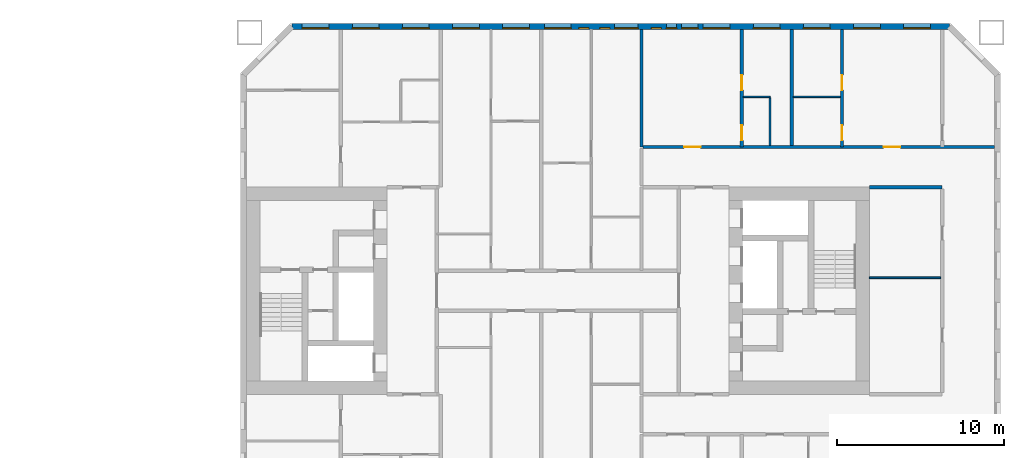
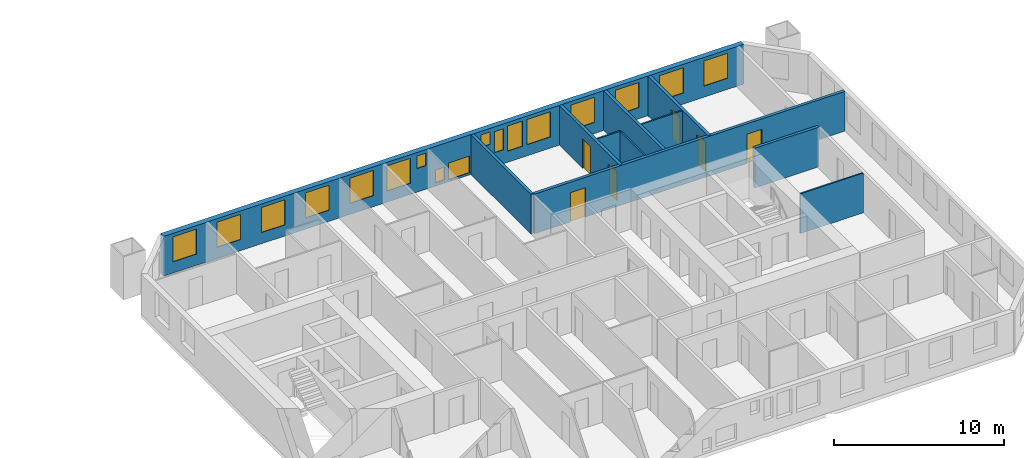
# One storey, part 13 of 16: 17 windows, 11 walls, 6 doors, 23 openings.
"""IFC4 building model written with IfcOpenShell, lengths in metres."""

import ifcopenshell
import ifcopenshell.guid

model = None  # the IFC model being written
_history = None  # IfcOwnerHistory: only IFC2X3 demands one
_inside = {}  # id of a spatial element -> (the spatial element, [elements in it])
_under = {}  # id of a project, library or spatial element -> (it, [spatial elements below it])
_declared = {}  # id of a project -> (the project, [libraries it declares])
_typed = {}  # id of a type object -> (the type object, [elements of that type])
_made_of = {}  # id of a material, layer set ... -> (it, [elements and type objects made of it])


def new_model(schema):
    """Start an empty IFC model of exactly this schema.

    Asked for "IFC4X3", IfcOpenShell would pick the latest addendum, in which some entities
    have other attributes; the version numbers below select the first issue.
    IFC2X3 requires an IfcOwnerHistory on every rooted entity: one is made here for all.
    """
    global model, _history
    if schema == "IFC4X3":
        model = ifcopenshell.file(schema_version=(4, 3, 0, 0))
    else:
        model = ifcopenshell.file(schema=schema)
    _inside.clear()
    _under.clear()
    _declared.clear()
    _typed.clear()
    _made_of.clear()
    _history = None
    if model.schema == "IFC2X3":
        org = make("IfcOrganization", Name="unknown")
        user = make(
            "IfcPersonAndOrganization",
            ThePerson=make("IfcPerson", FamilyName="unknown"),
            TheOrganization=org,
        )
        app = make(
            "IfcApplication",
            ApplicationDeveloper=org,
            Version="unknown",
            ApplicationFullName="unknown",
            ApplicationIdentifier="unknown",
        )
        _history = make(
            "IfcOwnerHistory",
            OwningUser=user,
            OwningApplication=app,
            ChangeAction="ADDED",
            CreationDate=0,
        )
    return model


def make(cls, **values):
    """One entity of the class cls with the attributes given. An attribute that is None is left unset."""
    return model.create_entity(
        cls, **{name: value for name, value in values.items() if value is not None}
    )


def rooted(cls, **values):
    """An entity with a GlobalId (a new one), such as an element, a storey or a relation."""
    return make(cls, GlobalId=ifcopenshell.guid.new(), OwnerHistory=_history, **values)


def si_unit(unit_type, name, prefix=None):
    """IfcSIUnit, for example si_unit("LENGTHUNIT", "METRE", prefix="MILLI")."""
    return make("IfcSIUnit", UnitType=unit_type, Prefix=prefix, Name=name)


def assignment(units):
    """IfcUnitAssignment: the units of a project."""
    return None if units is None else make("IfcUnitAssignment", Units=units)


def point(xyz):
    """IfcCartesianPoint."""
    return None if xyz is None else make("IfcCartesianPoint", Coordinates=xyz)


def direction(xyz):
    """IfcDirection."""
    return None if xyz is None else make("IfcDirection", DirectionRatios=xyz)


def frame(location, z_axis=None, x_axis=None):
    """IfcAxis2Placement3D, a coordinate frame: its origin and axes. An axis left out is left unset."""
    return make(
        "IfcAxis2Placement3D",
        Location=point(location),
        Axis=direction(z_axis),
        RefDirection=direction(x_axis),
    )


def frame_2d(location, x_axis=None):
    """IfcAxis2Placement2D, a coordinate frame in the plane: its origin and x axis."""
    return make(
        "IfcAxis2Placement2D", Location=point(location), RefDirection=direction(x_axis)
    )


def origin():
    """The frame at (0, 0, 0) with its axes left unset."""
    return frame((0.0, 0.0, 0.0))


def place(relative_to, where):
    """IfcLocalPlacement: puts the frame where relative to a parent placement (None: the world)."""
    return make(
        "IfcLocalPlacement", PlacementRelTo=relative_to, RelativePlacement=where
    )


def context(
    kind, dimensions, precision=None, world=None, true_north=None, identifier=None
):
    """IfcGeometricRepresentationContext, for example the 3D "Model" context."""
    return make(
        "IfcGeometricRepresentationContext",
        ContextIdentifier=identifier,
        ContextType=kind,
        CoordinateSpaceDimension=dimensions,
        Precision=precision,
        WorldCoordinateSystem=world,
        TrueNorth=true_north,
    )


def subcontext(parent, identifier, kind, view, scale=None):
    """IfcGeometricRepresentationSubContext, for example "Body" below "Model"."""
    return make(
        "IfcGeometricRepresentationSubContext",
        ContextIdentifier=identifier,
        ContextType=kind,
        ParentContext=parent,
        TargetScale=scale,
        TargetView=view,
    )


def project(units=None, contexts=None):
    """IfcProject with its units and contexts."""
    return rooted(
        "IfcProject",
        Name="project",
        RepresentationContexts=contexts,
        UnitsInContext=assignment(units),
    )


def spatial(cls, under=None, at=None, **own):
    """A site, building, storey or space (cls), placed at a placement, below another one or the project."""
    s = rooted(cls, ObjectPlacement=at, **own)
    if under is not None:
        _under.setdefault(under.id(), (under, []))[1].append(s)
    return s


def profile(cls, at=None, kind="AREA", **sizes):
    """A parametric profile (cls). Its sizes go by their IFC names, for example OverallWidth=200.0."""
    return make(cls, ProfileType=kind, Position=at, **sizes)


def rectangle(**sizes):
    """IfcRectangleProfileDef."""
    return profile("IfcRectangleProfileDef", **sizes)


def extrude(swept, where, along, depth):
    """IfcExtrudedAreaSolid: the profile swept, set in the frame where, extruded along a direction by depth."""
    return make(
        "IfcExtrudedAreaSolid",
        SweptArea=swept,
        Position=where,
        ExtrudedDirection=direction(along),
        Depth=depth,
    )


def shape(context_of_items, identifier, shape_type, items):
    """IfcShapeRepresentation: the items that make up one representation, for example the "Body"."""
    return make(
        "IfcShapeRepresentation",
        ContextOfItems=context_of_items,
        RepresentationIdentifier=identifier,
        RepresentationType=shape_type,
        Items=items,
    )


def material(Name=None, Category=None):
    """IfcMaterial."""
    return make("IfcMaterial", Name=Name, Category=Category)


def layer(
    of_material, thickness, ventilated=None, Name=None, Category=None, Priority=None
):
    """IfcMaterialLayer: one layer of a wall or slab, of a material (None: an air gap)."""
    return make(
        "IfcMaterialLayer",
        Material=of_material,
        LayerThickness=thickness,
        IsVentilated=ventilated,
        Name=Name,
        Category=Category,
        Priority=Priority,
    )


def layer_set(layers, Name=None):
    """IfcMaterialLayerSet."""
    return make("IfcMaterialLayerSet", MaterialLayers=layers, LayerSetName=Name)


def made_of(thing, what):
    """Note that an element or type object is made of a material, layer set ...; save() writes the relation."""
    if what is not None:
        _made_of.setdefault(what.id(), (what, []))[1].append(thing)
    return thing


def type_object(cls, material=None, **own):
    """A type object (cls), such as IfcWallType, which elements share."""
    return made_of(rooted(cls, **own), material)


def element(
    cls,
    number,
    at=None,
    inside=None,
    cuts=None,
    type_object=None,
    material=None,
    context=None,
    identifier="Body",
    shape_type=None,
    held_by="IfcProductDefinitionShape",
    body=None,
    shapes=None,
    **own,
):
    """One element of the class cls, such as IfcWall. Its Tag is "e" and its number.

    at: its placement. inside: the storey or other place that contains it. cuts: it is an
    opening in that element (IfcRelVoidsElement). A single representation is given by context,
    identifier, shape_type and body (its items); several are given by shapes. held_by: the class
    of the entity that holds the representations. save() writes the other relations.
    """
    e = rooted(cls, Tag="e%d" % number, ObjectPlacement=at, **own)
    if body is not None:
        shapes = [shape(context, identifier, shape_type, body)]
    if shapes is not None:
        e.Representation = make(held_by, Representations=shapes)
    if inside is not None:
        _inside.setdefault(inside.id(), (inside, []))[1].append(e)
    if cuts is not None:
        rooted(
            "IfcRelVoidsElement", RelatingBuildingElement=cuts, RelatedOpeningElement=e
        )
    if type_object is not None:
        _typed.setdefault(type_object.id(), (type_object, []))[1].append(e)
    return made_of(e, material)


def fill(opening, filler):
    """IfcRelFillsElement: the door or window that sits in an opening."""
    return rooted(
        "IfcRelFillsElement",
        RelatingOpeningElement=opening,
        RelatedBuildingElement=filler,
    )


def aggregate(whole, parts):
    """IfcRelAggregates: a whole, such as a stair, and the parts it consists of."""
    return rooted("IfcRelAggregates", RelatingObject=whole, RelatedObjects=parts)


def save(model, path):
    """Write the relations noted so far, then the file.

    IfcRelAggregates (storeys below a building ...), IfcRelContainedInSpatialStructure (elements
    in a storey), IfcRelDefinesByType, IfcRelAssociatesMaterial and IfcRelDeclares: one each for
    every whole, place, type object, material and project.
    """
    for whole, parts in _under.values():
        aggregate(whole, parts)
    for where, things in _inside.values():
        rooted(
            "IfcRelContainedInSpatialStructure",
            RelatedElements=things,
            RelatingStructure=where,
        )
    for kind, things in _typed.values():
        rooted("IfcRelDefinesByType", RelatedObjects=things, RelatingType=kind)
    for what, things in _made_of.values():
        rooted("IfcRelAssociatesMaterial", RelatedObjects=things, RelatingMaterial=what)
    for by, libraries in _declared.values():
        rooted("IfcRelDeclares", RelatingContext=by, RelatedDefinitions=libraries)
    model.write(path)


model = new_model("IFC4")

# Units and contexts
model_context = context("Model", 3, precision=1e-05, world=origin(), true_north=direction((0.0, 1.0)))
body_context = subcontext(model_context, "Body", "Model", "MODEL_VIEW")
ifc_project = project(units=[si_unit("LENGTHUNIT", "METRE"), si_unit("AREAUNIT", "SQUARE_METRE"), si_unit("VOLUMEUNIT", "CUBIC_METRE"), si_unit("PLANEANGLEUNIT", "RADIAN"), si_unit("MASSUNIT", "GRAM", prefix="KILO")], contexts=[model_context])

# Site, building, storey
site_placement = place(None, origin())
site = spatial("IfcSite", under=ifc_project, at=site_placement, CompositionType="ELEMENT")
building_placement = place(site_placement, origin())
building = spatial("IfcBuilding", under=site, at=building_placement, Name="Tuart Gate Housing", CompositionType="ELEMENT")
storey_placement = place(building_placement, frame((0.0, 0.0, 59.800048828125)))
storey = spatial("IfcBuildingStorey", under=building, at=storey_placement, Name="L16", CompositionType="ELEMENT", Elevation=59.800048828125)

# Wall, openings, windows
ifc_material_1 = material(Name="Brick", Category="masonry")
ifc_layer_1 = layer(ifc_material_1, 0.360107421875)
ifc_layer_set_1 = layer_set([ifc_layer_1], Name="Brick pier and spandrel wall 360")
wall_type_1 = type_object("IfcWallType", Name="Brick pier and spandrel wall 360", PredefinedType="STANDARD", material=ifc_layer_set_1)
wall_1_placement = place(storey_placement, frame((173.42529296875, 85.820068359375, 0.0), z_axis=(0.0, 0.0, 1.0), x_axis=(-1.0, 0.0, 0.0)))
wall_1 = element("IfcWall", 1, at=wall_1_placement, inside=storey, type_object=wall_type_1, Name="External wall B-N L16", PredefinedType="STANDARD", context=body_context, shape_type="SweptSolid", body=[
    extrude(rectangle(XDim=39.350830078125, YDim=0.360107421875, at=frame_2d((19.67529296875, 0.0))), origin(), (0.0, 0.0, 1.0), 2.849853515625),
])
opening_1_placement = place(wall_1_placement, frame((1.12548828125, 0.0, 0.800048828125)))
opening_1 = element("IfcOpeningElement", 2, at=opening_1_placement, cuts=wall_1, Name="Opening W1", PredefinedType="OPENING", context=body_context, shape_type="SweptSolid", body=[
    extrude(rectangle(XDim=1.60009765625, YDim=1.800048828125, at=frame_2d((0.800048828125, 0.89990234375))), frame((0.0, 0.18994140625, 0.0), z_axis=(0.0, -1.0, 0.0), x_axis=(1.0, 0.0, 0.0)), (0.0, 0.0, 1.0), 0.380126953125),
])
opening_2_placement = place(wall_1_placement, frame((4.12548828125, 0.0, 0.800048828125)))
opening_2 = element("IfcOpeningElement", 3, at=opening_2_placement, cuts=wall_1, Name="Opening W1", PredefinedType="OPENING", context=body_context, shape_type="SweptSolid", body=[
    extrude(rectangle(XDim=1.60009765625, YDim=1.800048828125, at=frame_2d((0.800048828125, 0.89990234375))), frame((0.0, 0.18994140625, 0.0), z_axis=(0.0, -1.0, 0.0), x_axis=(1.0, 0.0, 0.0)), (0.0, 0.0, 1.0), 0.380126953125),
])
opening_3_placement = place(wall_1_placement, frame((7.12548828125, 0.0, 0.800048828125)))
opening_3 = element("IfcOpeningElement", 4, at=opening_3_placement, cuts=wall_1, Name="Opening W1", PredefinedType="OPENING", context=body_context, shape_type="SweptSolid", body=[
    extrude(rectangle(XDim=1.60009765625, YDim=1.800048828125, at=frame_2d((0.800048828125, 0.89990234375))), frame((0.0, 0.18994140625, 0.0), z_axis=(0.0, -1.0, 0.0), x_axis=(1.0, 0.0, 0.0)), (0.0, 0.0, 1.0), 0.380126953125),
])
opening_4_placement = place(wall_1_placement, frame((10.12548828125, 0.0, 0.800048828125)))
opening_4 = element("IfcOpeningElement", 5, at=opening_4_placement, cuts=wall_1, Name="Opening W1", PredefinedType="OPENING", context=body_context, shape_type="SweptSolid", body=[
    extrude(rectangle(XDim=1.60009765625, YDim=1.800048828125, at=frame_2d((0.800048828125, 0.89990234375))), frame((0.0, 0.18994140625, 0.0), z_axis=(0.0, -1.0, 0.0), x_axis=(1.0, 0.0, 0.0)), (0.0, 0.0, 1.0), 0.380126953125),
])
opening_5_placement = place(wall_1_placement, frame((13.12548828125, 0.0, 0.800048828125)))
opening_5 = element("IfcOpeningElement", 6, at=opening_5_placement, cuts=wall_1, Name="Opening W1", PredefinedType="OPENING", context=body_context, shape_type="SweptSolid", body=[
    extrude(rectangle(XDim=1.60009765625, YDim=1.800048828125, at=frame_2d((0.800048828125, 0.89990234375))), frame((0.0, 0.18994140625, 0.0), z_axis=(0.0, -1.0, 0.0), x_axis=(1.0, 0.0, 0.0)), (0.0, 0.0, 1.0), 0.380126953125),
])
opening_6_placement = place(wall_1_placement, frame((15.025390625, 0.0, 0.800048828125)))
opening_6 = element("IfcOpeningElement", 7, at=opening_6_placement, cuts=wall_1, Name="Opening W1C", PredefinedType="OPENING", context=body_context, shape_type="SweptSolid", body=[
    extrude(rectangle(XDim=1.0, YDim=1.800048828125, at=frame_2d((0.5, 0.89990234375))), frame((0.0, 0.18994140625, 0.0), z_axis=(0.0, -1.0, 0.0), x_axis=(1.0, 0.0, 0.0)), (0.0, 0.0, 1.0), 0.380126953125),
])
opening_7_placement = place(wall_1_placement, frame((18.62548828125, 0.0, 0.14990234375)))
opening_7 = element("IfcOpeningElement", 8, at=opening_7_placement, cuts=wall_1, Name="Opening W1M", PredefinedType="OPENING", context=body_context, shape_type="SweptSolid", body=[
    extrude(rectangle(XDim=1.39990234375, YDim=1.199951171875, at=frame_2d((0.699951171875, 0.60009765625))), frame((0.0, 0.18994140625, 0.0), z_axis=(0.0, -1.0, 0.0), x_axis=(1.0, 0.0, 0.0)), (0.0, 0.0, 1.0), 0.380126953125),
])
opening_8_placement = place(wall_1_placement, frame((21.575439453125, 0.0, 1.699951171875)))
opening_8 = element("IfcOpeningElement", 9, at=opening_8_placement, cuts=wall_1, Name="Opening W1W", PredefinedType="OPENING", context=body_context, shape_type="SweptSolid", body=[
    extrude(rectangle(XDim=0.60009765625, YDim=0.89990234375, at=frame_2d((0.300048828125, 0.449951171875))), frame((0.0, 0.18994140625, 0.0), z_axis=(0.0, -1.0, 0.0), x_axis=(1.0, 0.0, 0.0)), (0.0, 0.0, 1.0), 0.380126953125),
])
opening_9_placement = place(wall_1_placement, frame((25.12548828125, 0.0, 0.800048828125)))
opening_9 = element("IfcOpeningElement", 10, at=opening_9_placement, cuts=wall_1, Name="Opening W1", PredefinedType="OPENING", context=body_context, shape_type="SweptSolid", body=[
    extrude(rectangle(XDim=1.60009765625, YDim=1.800048828125, at=frame_2d((0.800048828125, 0.89990234375))), frame((0.0, 0.18994140625, 0.0), z_axis=(0.0, -1.0, 0.0), x_axis=(1.0, 0.0, 0.0)), (0.0, 0.0, 1.0), 0.380126953125),
])
opening_10_placement = place(wall_1_placement, frame((28.12548828125, 0.0, 0.800048828125)))
opening_10 = element("IfcOpeningElement", 11, at=opening_10_placement, cuts=wall_1, Name="Opening W1", PredefinedType="OPENING", context=body_context, shape_type="SweptSolid", body=[
    extrude(rectangle(XDim=1.60009765625, YDim=1.800048828125, at=frame_2d((0.800048828125, 0.89990234375))), frame((0.0, 0.18994140625, 0.0), z_axis=(0.0, -1.0, 0.0), x_axis=(1.0, 0.0, 0.0)), (0.0, 0.0, 1.0), 0.380126953125),
])
opening_11_placement = place(wall_1_placement, frame((31.12548828125, 0.0, 0.800048828125)))
opening_11 = element("IfcOpeningElement", 12, at=opening_11_placement, cuts=wall_1, Name="Opening W1", PredefinedType="OPENING", context=body_context, shape_type="SweptSolid", body=[
    extrude(rectangle(XDim=1.60009765625, YDim=1.800048828125, at=frame_2d((0.800048828125, 0.89990234375))), frame((0.0, 0.18994140625, 0.0), z_axis=(0.0, -1.0, 0.0), x_axis=(1.0, 0.0, 0.0)), (0.0, 0.0, 1.0), 0.380126953125),
])
opening_12_placement = place(wall_1_placement, frame((34.12548828125, 0.0, 0.800048828125)))
opening_12 = element("IfcOpeningElement", 13, at=opening_12_placement, cuts=wall_1, Name="Opening W1", PredefinedType="OPENING", context=body_context, shape_type="SweptSolid", body=[
    extrude(rectangle(XDim=1.60009765625, YDim=1.800048828125, at=frame_2d((0.800048828125, 0.89990234375))), frame((0.0, 0.18994140625, 0.0), z_axis=(0.0, -1.0, 0.0), x_axis=(1.0, 0.0, 0.0)), (0.0, 0.0, 1.0), 0.380126953125),
])
opening_13_placement = place(wall_1_placement, frame((37.12548828125, 0.0, 0.800048828125)))
opening_13 = element("IfcOpeningElement", 14, at=opening_13_placement, cuts=wall_1, Name="Opening W1", PredefinedType="OPENING", context=body_context, shape_type="SweptSolid", body=[
    extrude(rectangle(XDim=1.60009765625, YDim=1.800048828125, at=frame_2d((0.800048828125, 0.89990234375))), frame((0.0, 0.18994140625, 0.0), z_axis=(0.0, -1.0, 0.0), x_axis=(1.0, 0.0, 0.0)), (0.0, 0.0, 1.0), 0.380126953125),
])
opening_14_placement = place(wall_1_placement, frame((16.325439453125, 0.0, 1.0)))
opening_14 = element("IfcOpeningElement", 15, at=opening_14_placement, cuts=wall_1, Name="Opening W1K", PredefinedType="OPENING", context=body_context, shape_type="SweptSolid", body=[
    extrude(rectangle(XDim=0.60009765625, YDim=1.5, at=frame_2d((0.300048828125, 0.75))), frame((0.0, 0.18994140625, 0.0), z_axis=(0.0, -1.0, 0.0), x_axis=(1.0, 0.0, 0.0)), (0.0, 0.0, 1.0), 0.380126953125),
])
opening_15_placement = place(wall_1_placement, frame((17.225341796875, 0.0, 1.699951171875)))
opening_15 = element("IfcOpeningElement", 16, at=opening_15_placement, cuts=wall_1, Name="Opening W1W", PredefinedType="OPENING", context=body_context, shape_type="SweptSolid", body=[
    extrude(rectangle(XDim=0.60009765625, YDim=0.89990234375, at=frame_2d((0.300048828125, 0.449951171875))), frame((0.0, 0.18994140625, 0.0), z_axis=(0.0, -1.0, 0.0), x_axis=(1.0, 0.0, 0.0)), (0.0, 0.0, 1.0), 0.380126953125),
])
opening_16_placement = place(wall_1_placement, frame((20.325439453125, 0.0, 0.25)))
opening_16 = element("IfcOpeningElement", 17, at=opening_16_placement, cuts=wall_1, Name="Opening W1W", PredefinedType="OPENING", context=body_context, shape_type="SweptSolid", body=[
    extrude(rectangle(XDim=0.60009765625, YDim=0.89990234375, at=frame_2d((0.300048828125, 0.449951171875))), frame((0.0, 0.18994140625, 0.0), z_axis=(0.0, -1.0, 0.0), x_axis=(1.0, 0.0, 0.0)), (0.0, 0.0, 1.0), 0.380126953125),
])
opening_17_placement = place(wall_1_placement, frame((22.62548828125, 0.0, 0.800048828125)))
opening_17 = element("IfcOpeningElement", 18, at=opening_17_placement, cuts=wall_1, Name="Opening W1", PredefinedType="OPENING", context=body_context, shape_type="SweptSolid", body=[
    extrude(rectangle(XDim=1.60009765625, YDim=1.800048828125, at=frame_2d((0.800048828125, 0.89990234375))), frame((0.0, 0.18994140625, 0.0), z_axis=(0.0, -1.0, 0.0), x_axis=(1.0, 0.0, 0.0)), (0.0, 0.0, 1.0), 0.380126953125),
])
ifc_material_2 = material(Name="Aluminium frame with clear glass", Category="aluminium")
window_type_1 = type_object("IfcWindowType", Name="Punched window 1000 x 1800", PartitioningType="SINGLE_PANEL", PredefinedType="WINDOW", material=ifc_material_2)
window_1_placement = place(opening_6_placement, origin())
window_1 = element("IfcWindow", 19, at=window_1_placement, inside=storey, type_object=window_type_1, Name="Window W1C", OverallHeight=1.800048828125, OverallWidth=1.0, PartitioningType="SINGLE_PANEL", PredefinedType="WINDOW", context=body_context, shape_type="SweptSolid", body=[
    extrude(rectangle(XDim=1.0, YDim=1.800048828125, at=frame_2d((0.5, 0.89990234375))), frame((0.0, 0.150146484375, 0.0), z_axis=(0.0, -1.0, 0.0), x_axis=(1.0, 0.0, 0.0)), (0.0, 0.0, 1.0), 0.06005859375),
])
fill(opening_6, window_1)
ifc_material_3 = material(Name="Aluminium frame with clear glass", Category="aluminium")
window_type_2 = type_object("IfcWindowType", Name="Punched window 1400 x 1200", PartitioningType="SINGLE_PANEL", PredefinedType="WINDOW", material=ifc_material_3)
window_2_placement = place(opening_7_placement, origin())
window_2 = element("IfcWindow", 20, at=window_2_placement, inside=storey, type_object=window_type_2, Name="Window W1M", OverallHeight=1.199951171875, OverallWidth=1.39990234375, PartitioningType="SINGLE_PANEL", PredefinedType="WINDOW", context=body_context, shape_type="SweptSolid", body=[
    extrude(rectangle(XDim=1.39990234375, YDim=1.199951171875, at=frame_2d((0.699951171875, 0.60009765625))), frame((0.0, 0.150146484375, 0.0), z_axis=(0.0, -1.0, 0.0), x_axis=(1.0, 0.0, 0.0)), (0.0, 0.0, 1.0), 0.06005859375),
])
fill(opening_7, window_2)
ifc_material_4 = material(Name="Aluminium frame with clear glass", Category="aluminium")
window_type_3 = type_object("IfcWindowType", Name="Punched window 1600 x 1800", PartitioningType="SINGLE_PANEL", PredefinedType="WINDOW", material=ifc_material_4)
window_3_placement = place(opening_1_placement, origin())
window_3 = element("IfcWindow", 21, at=window_3_placement, inside=storey, type_object=window_type_3, Name="Window W1", OverallHeight=1.800048828125, OverallWidth=1.60009765625, PartitioningType="SINGLE_PANEL", PredefinedType="WINDOW", context=body_context, shape_type="SweptSolid", body=[
    extrude(rectangle(XDim=1.60009765625, YDim=1.800048828125, at=frame_2d((0.800048828125, 0.89990234375))), frame((0.0, 0.150146484375, 0.0), z_axis=(0.0, -1.0, 0.0), x_axis=(1.0, 0.0, 0.0)), (0.0, 0.0, 1.0), 0.06005859375),
])
fill(opening_1, window_3)
window_4_placement = place(opening_2_placement, origin())
window_4 = element("IfcWindow", 22, at=window_4_placement, inside=storey, type_object=window_type_3, Name="Window W1", OverallHeight=1.800048828125, OverallWidth=1.60009765625, PartitioningType="SINGLE_PANEL", PredefinedType="WINDOW", context=body_context, shape_type="SweptSolid", body=[
    extrude(rectangle(XDim=1.60009765625, YDim=1.800048828125, at=frame_2d((0.800048828125, 0.89990234375))), frame((0.0, 0.150146484375, 0.0), z_axis=(0.0, -1.0, 0.0), x_axis=(1.0, 0.0, 0.0)), (0.0, 0.0, 1.0), 0.06005859375),
])
fill(opening_2, window_4)
window_5_placement = place(opening_3_placement, origin())
window_5 = element("IfcWindow", 23, at=window_5_placement, inside=storey, type_object=window_type_3, Name="Window W1", OverallHeight=1.800048828125, OverallWidth=1.60009765625, PartitioningType="SINGLE_PANEL", PredefinedType="WINDOW", context=body_context, shape_type="SweptSolid", body=[
    extrude(rectangle(XDim=1.60009765625, YDim=1.800048828125, at=frame_2d((0.800048828125, 0.89990234375))), frame((0.0, 0.150146484375, 0.0), z_axis=(0.0, -1.0, 0.0), x_axis=(1.0, 0.0, 0.0)), (0.0, 0.0, 1.0), 0.06005859375),
])
fill(opening_3, window_5)
window_6_placement = place(opening_4_placement, origin())
window_6 = element("IfcWindow", 24, at=window_6_placement, inside=storey, type_object=window_type_3, Name="Window W1", OverallHeight=1.800048828125, OverallWidth=1.60009765625, PartitioningType="SINGLE_PANEL", PredefinedType="WINDOW", context=body_context, shape_type="SweptSolid", body=[
    extrude(rectangle(XDim=1.60009765625, YDim=1.800048828125, at=frame_2d((0.800048828125, 0.89990234375))), frame((0.0, 0.150146484375, 0.0), z_axis=(0.0, -1.0, 0.0), x_axis=(1.0, 0.0, 0.0)), (0.0, 0.0, 1.0), 0.06005859375),
])
fill(opening_4, window_6)
window_7_placement = place(opening_5_placement, origin())
window_7 = element("IfcWindow", 25, at=window_7_placement, inside=storey, type_object=window_type_3, Name="Window W1", OverallHeight=1.800048828125, OverallWidth=1.60009765625, PartitioningType="SINGLE_PANEL", PredefinedType="WINDOW", context=body_context, shape_type="SweptSolid", body=[
    extrude(rectangle(XDim=1.60009765625, YDim=1.800048828125, at=frame_2d((0.800048828125, 0.89990234375))), frame((0.0, 0.150146484375, 0.0), z_axis=(0.0, -1.0, 0.0), x_axis=(1.0, 0.0, 0.0)), (0.0, 0.0, 1.0), 0.06005859375),
])
fill(opening_5, window_7)
window_8_placement = place(opening_9_placement, origin())
window_8 = element("IfcWindow", 26, at=window_8_placement, inside=storey, type_object=window_type_3, Name="Window W1", OverallHeight=1.800048828125, OverallWidth=1.60009765625, PartitioningType="SINGLE_PANEL", PredefinedType="WINDOW", context=body_context, shape_type="SweptSolid", body=[
    extrude(rectangle(XDim=1.60009765625, YDim=1.800048828125, at=frame_2d((0.800048828125, 0.89990234375))), frame((0.0, 0.150146484375, 0.0), z_axis=(0.0, -1.0, 0.0), x_axis=(1.0, 0.0, 0.0)), (0.0, 0.0, 1.0), 0.06005859375),
])
fill(opening_9, window_8)
window_9_placement = place(opening_10_placement, origin())
window_9 = element("IfcWindow", 27, at=window_9_placement, inside=storey, type_object=window_type_3, Name="Window W1", OverallHeight=1.800048828125, OverallWidth=1.60009765625, PartitioningType="SINGLE_PANEL", PredefinedType="WINDOW", context=body_context, shape_type="SweptSolid", body=[
    extrude(rectangle(XDim=1.60009765625, YDim=1.800048828125, at=frame_2d((0.800048828125, 0.89990234375))), frame((0.0, 0.150146484375, 0.0), z_axis=(0.0, -1.0, 0.0), x_axis=(1.0, 0.0, 0.0)), (0.0, 0.0, 1.0), 0.06005859375),
])
fill(opening_10, window_9)
window_10_placement = place(opening_11_placement, origin())
window_10 = element("IfcWindow", 28, at=window_10_placement, inside=storey, type_object=window_type_3, Name="Window W1", OverallHeight=1.800048828125, OverallWidth=1.60009765625, PartitioningType="SINGLE_PANEL", PredefinedType="WINDOW", context=body_context, shape_type="SweptSolid", body=[
    extrude(rectangle(XDim=1.60009765625, YDim=1.800048828125, at=frame_2d((0.800048828125, 0.89990234375))), frame((0.0, 0.150146484375, 0.0), z_axis=(0.0, -1.0, 0.0), x_axis=(1.0, 0.0, 0.0)), (0.0, 0.0, 1.0), 0.06005859375),
])
fill(opening_11, window_10)
window_11_placement = place(opening_12_placement, origin())
window_11 = element("IfcWindow", 29, at=window_11_placement, inside=storey, type_object=window_type_3, Name="Window W1", OverallHeight=1.800048828125, OverallWidth=1.60009765625, PartitioningType="SINGLE_PANEL", PredefinedType="WINDOW", context=body_context, shape_type="SweptSolid", body=[
    extrude(rectangle(XDim=1.60009765625, YDim=1.800048828125, at=frame_2d((0.800048828125, 0.89990234375))), frame((0.0, 0.150146484375, 0.0), z_axis=(0.0, -1.0, 0.0), x_axis=(1.0, 0.0, 0.0)), (0.0, 0.0, 1.0), 0.06005859375),
])
fill(opening_12, window_11)
window_12_placement = place(opening_13_placement, origin())
window_12 = element("IfcWindow", 30, at=window_12_placement, inside=storey, type_object=window_type_3, Name="Window W1", OverallHeight=1.800048828125, OverallWidth=1.60009765625, PartitioningType="SINGLE_PANEL", PredefinedType="WINDOW", context=body_context, shape_type="SweptSolid", body=[
    extrude(rectangle(XDim=1.60009765625, YDim=1.800048828125, at=frame_2d((0.800048828125, 0.89990234375))), frame((0.0, 0.150146484375, 0.0), z_axis=(0.0, -1.0, 0.0), x_axis=(1.0, 0.0, 0.0)), (0.0, 0.0, 1.0), 0.06005859375),
])
fill(opening_13, window_12)
window_13_placement = place(opening_17_placement, origin())
window_13 = element("IfcWindow", 31, at=window_13_placement, inside=storey, type_object=window_type_3, Name="Window W1", OverallHeight=1.800048828125, OverallWidth=1.60009765625, PartitioningType="SINGLE_PANEL", PredefinedType="WINDOW", context=body_context, shape_type="SweptSolid", body=[
    extrude(rectangle(XDim=1.60009765625, YDim=1.800048828125, at=frame_2d((0.800048828125, 0.89990234375))), frame((0.0, 0.150146484375, 0.0), z_axis=(0.0, -1.0, 0.0), x_axis=(1.0, 0.0, 0.0)), (0.0, 0.0, 1.0), 0.06005859375),
])
fill(opening_17, window_13)
ifc_material_5 = material(Name="Aluminium frame with clear glass", Category="aluminium")
window_type_4 = type_object("IfcWindowType", Name="Punched window 600 x 1500", PartitioningType="SINGLE_PANEL", PredefinedType="WINDOW", material=ifc_material_5)
window_14_placement = place(opening_14_placement, origin())
window_14 = element("IfcWindow", 32, at=window_14_placement, inside=storey, type_object=window_type_4, Name="Window W1K", OverallHeight=1.5, OverallWidth=0.60009765625, PartitioningType="SINGLE_PANEL", PredefinedType="WINDOW", context=body_context, shape_type="SweptSolid", body=[
    extrude(rectangle(XDim=0.60009765625, YDim=1.5, at=frame_2d((0.300048828125, 0.75))), frame((0.0, 0.150146484375, 0.0), z_axis=(0.0, -1.0, 0.0), x_axis=(1.0, 0.0, 0.0)), (0.0, 0.0, 1.0), 0.06005859375),
])
fill(opening_14, window_14)
ifc_material_6 = material(Name="Aluminium frame with clear glass", Category="aluminium")
window_type_5 = type_object("IfcWindowType", Name="Punched window 600 x 900", PartitioningType="SINGLE_PANEL", PredefinedType="WINDOW", material=ifc_material_6)
window_15_placement = place(opening_8_placement, origin())
window_15 = element("IfcWindow", 33, at=window_15_placement, inside=storey, type_object=window_type_5, Name="Window W1W", OverallHeight=0.89990234375, OverallWidth=0.60009765625, PartitioningType="SINGLE_PANEL", PredefinedType="WINDOW", context=body_context, shape_type="SweptSolid", body=[
    extrude(rectangle(XDim=0.60009765625, YDim=0.89990234375, at=frame_2d((0.300048828125, 0.449951171875))), frame((0.0, 0.150146484375, 0.0), z_axis=(0.0, -1.0, 0.0), x_axis=(1.0, 0.0, 0.0)), (0.0, 0.0, 1.0), 0.06005859375),
])
fill(opening_8, window_15)
window_16_placement = place(opening_15_placement, origin())
window_16 = element("IfcWindow", 34, at=window_16_placement, inside=storey, type_object=window_type_5, Name="Window W1W", OverallHeight=0.89990234375, OverallWidth=0.60009765625, PartitioningType="SINGLE_PANEL", PredefinedType="WINDOW", context=body_context, shape_type="SweptSolid", body=[
    extrude(rectangle(XDim=0.60009765625, YDim=0.89990234375, at=frame_2d((0.300048828125, 0.449951171875))), frame((0.0, 0.150146484375, 0.0), z_axis=(0.0, -1.0, 0.0), x_axis=(1.0, 0.0, 0.0)), (0.0, 0.0, 1.0), 0.06005859375),
])
fill(opening_15, window_16)
window_17_placement = place(opening_16_placement, origin())
window_17 = element("IfcWindow", 35, at=window_17_placement, inside=storey, type_object=window_type_5, Name="Window W1W", OverallHeight=0.89990234375, OverallWidth=0.60009765625, PartitioningType="SINGLE_PANEL", PredefinedType="WINDOW", context=body_context, shape_type="SweptSolid", body=[
    extrude(rectangle(XDim=0.60009765625, YDim=0.89990234375, at=frame_2d((0.300048828125, 0.449951171875))), frame((0.0, 0.150146484375, 0.0), z_axis=(0.0, -1.0, 0.0), x_axis=(1.0, 0.0, 0.0)), (0.0, 0.0, 1.0), 0.06005859375),
])
fill(opening_16, window_17)

# Wall
ifc_material_7 = material(Name="Concrete masonry 15 MPa", Category="masonry")
ifc_layer_2 = layer(ifc_material_7, 0.199951171875)
ifc_layer_set_2 = layer_set([ifc_layer_2], Name="Corridor wall masonry 200")
wall_type_2 = type_object("IfcWallType", Name="Corridor wall masonry 200", PredefinedType="PARTITIONING", material=ifc_layer_set_2)
wall_2_placement = place(storey_placement, frame((168.639892578125, 76.199951171875, 0.0), z_axis=(0.0, 0.0, 1.0), x_axis=(1.0, 0.0, 0.0)))
element("IfcWall", 36, at=wall_2_placement, inside=storey, type_object=wall_type_2, Name="Corridor wall masonry 200", PredefinedType="PARTITIONING", context=body_context, shape_type="SweptSolid", body=[
    extrude(rectangle(XDim=4.360107421875, YDim=0.199951171875, at=frame_2d((2.18017578125, 0.0))), origin(), (0.0, 0.0, 1.0), 2.849853515625),
])

# Wall, openings, doors
wall_3_placement = place(storey_placement, frame((155.10009765625, 78.60009765625, 0.0), z_axis=(0.0, 0.0, 1.0), x_axis=(1.0, 0.0, 0.0)))
wall_3 = element("IfcWall", 37, at=wall_3_placement, inside=storey, type_object=wall_type_2, Name="Corridor wall masonry 200", PredefinedType="PARTITIONING", context=body_context, shape_type="SweptSolid", body=[
    extrude(rectangle(XDim=21.039794921875, YDim=0.199951171875, at=frame_2d((10.52001953125, 0.0))), origin(), (0.0, 0.0, 1.0), 2.849853515625),
])
opening_18_placement = place(wall_3_placement, frame((2.449951171875, 0.0, 0.0)))
opening_18 = element("IfcOpeningElement", 38, at=opening_18_placement, cuts=wall_3, Name="Opening D788", PredefinedType="OPENING", context=body_context, shape_type="SweptSolid", body=[
    extrude(rectangle(XDim=1.0, YDim=2.10009765625, at=frame_2d((0.5, 1.050048828125))), frame((0.0, 0.10986328125, 0.0), z_axis=(0.0, -1.0, 0.0), x_axis=(1.0, 0.0, 0.0)), (0.0, 0.0, 1.0), 0.219970703125),
])
opening_19_placement = place(wall_3_placement, frame((14.39990234375, 0.0, 0.0)))
opening_19 = element("IfcOpeningElement", 39, at=opening_19_placement, cuts=wall_3, Name="Opening D789", PredefinedType="OPENING", context=body_context, shape_type="SweptSolid", body=[
    extrude(rectangle(XDim=1.0, YDim=2.10009765625, at=frame_2d((0.5, 1.050048828125))), frame((0.0, 0.10986328125, 0.0), z_axis=(0.0, -1.0, 0.0), x_axis=(1.0, 0.0, 0.0)), (0.0, 0.0, 1.0), 0.219970703125),
])
ifc_material_8 = material(Name="Timber door leaf in steel frame", Category="steel")
door_type_1 = type_object("IfcDoorType", Name="Flat entrance door 1000", OperationType="SINGLE_SWING_LEFT", PredefinedType="DOOR", material=ifc_material_8)
door_1_placement = place(opening_19_placement, origin())
door_1 = element("IfcDoor", 40, at=door_1_placement, inside=storey, type_object=door_type_1, Name="Flat entrance door", OperationType="SINGLE_SWING_LEFT", OverallHeight=2.10009765625, OverallWidth=1.0, PredefinedType="DOOR", context=body_context, shape_type="SweptSolid", body=[
    extrude(rectangle(XDim=1.0, YDim=2.10009765625, at=frame_2d((0.5, 1.050048828125))), frame((0.0, 0.02490234375, 0.0), z_axis=(0.0, -1.0, 0.0), x_axis=(1.0, 0.0, 0.0)), (0.0, 0.0, 1.0), 0.050048828125),
])
fill(opening_19, door_1)
ifc_material_9 = material(Name="Timber door leaf in steel frame", Category="steel")
door_type_2 = type_object("IfcDoorType", Name="Flat entrance door 1000 RH", OperationType="SINGLE_SWING_RIGHT", PredefinedType="DOOR", material=ifc_material_9)
door_2_placement = place(opening_18_placement, origin())
door_2 = element("IfcDoor", 41, at=door_2_placement, inside=storey, type_object=door_type_2, Name="Flat entrance door", OperationType="SINGLE_SWING_RIGHT", OverallHeight=2.10009765625, OverallWidth=1.0, PredefinedType="DOOR", context=body_context, shape_type="SweptSolid", body=[
    extrude(rectangle(XDim=1.0, YDim=2.10009765625, at=frame_2d((0.5, 1.050048828125))), frame((0.0, 0.02490234375, 0.0), z_axis=(0.0, -1.0, 0.0), x_axis=(1.0, 0.0, 0.0)), (0.0, 0.0, 1.0), 0.050048828125),
])
fill(opening_18, door_2)

# Walls
ifc_material_10 = material(Name="Gypsum board on steel studs", Category="steel")
ifc_layer_3 = layer(ifc_material_10, 0.10009765625)
ifc_layer_set_3 = layer_set([ifc_layer_3], Name="Partition 100")
wall_type_3 = type_object("IfcWallType", Name="Partition 100", PredefinedType="PARTITIONING", material=ifc_layer_set_3)
wall_4_placement = place(storey_placement, frame((168.639892578125, 70.77001953125, 0.0), z_axis=(0.0, 0.0, 1.0), x_axis=(1.0, 0.0, 0.0)))
element("IfcWall", 42, at=wall_4_placement, inside=storey, type_object=wall_type_3, Name="Partition 100", PredefinedType="PARTITIONING", context=body_context, shape_type="SweptSolid", body=[
    extrude(rectangle(XDim=4.260009765625, YDim=0.10009765625, at=frame_2d((2.1298828125, 0.0))), origin(), (0.0, 0.0, 1.0), 2.849853515625),
])
wall_5_placement = place(storey_placement, frame((161.10009765625, 81.60009765625, 0.0), z_axis=(0.0, 0.0, 1.0), x_axis=(1.0, 0.0, 0.0)))
element("IfcWall", 43, at=wall_5_placement, inside=storey, type_object=wall_type_3, Name="Partition 100", PredefinedType="PARTITIONING", context=body_context, shape_type="SweptSolid", body=[
    extrude(rectangle(XDim=1.599853515625, YDim=0.10009765625, at=frame_2d((0.7998046875, 0.0))), origin(), (0.0, 0.0, 1.0), 2.849853515625),
])
wall_6_placement = place(storey_placement, frame((164.10009765625, 81.60009765625, 0.0), z_axis=(0.0, 0.0, 1.0), x_axis=(1.0, 0.0, 0.0)))
element("IfcWall", 44, at=wall_6_placement, inside=storey, type_object=wall_type_3, Name="Partition 100", PredefinedType="PARTITIONING", context=body_context, shape_type="SweptSolid", body=[
    extrude(rectangle(XDim=2.7998046875, YDim=0.10009765625, at=frame_2d((1.39990234375, 0.0))), origin(), (0.0, 0.0, 1.0), 2.849853515625),
])
wall_7_placement = place(storey_placement, frame((162.699951171875, 78.699951171875, 0.0), z_axis=(0.0, 0.0, 1.0), x_axis=(0.0, 1.0, 0.0)))
element("IfcWall", 45, at=wall_7_placement, inside=storey, type_object=wall_type_3, Name="Partition 100", PredefinedType="PARTITIONING", context=body_context, shape_type="SweptSolid", body=[
    extrude(rectangle(XDim=2.85009765625, YDim=0.10009765625, at=frame_2d((1.425048828125, 0.0))), origin(), (0.0, 0.0, 1.0), 2.849853515625),
])
ifc_material_11 = material(Name="Concrete C40", Category="concrete")
ifc_layer_4 = layer(ifc_material_11, 0.199951171875)
ifc_layer_set_4 = layer_set([ifc_layer_4], Name="Party wall concrete C40 200")
wall_type_4 = type_object("IfcWallType", Name="Party wall concrete C40 200", PredefinedType="SOLIDWALL", material=ifc_layer_set_4)
wall_8_placement = place(storey_placement, frame((155.0, 78.60009765625, 0.0), z_axis=(0.0, 0.0, 1.0), x_axis=(0.0, 1.0, 0.0)))
element("IfcWall", 46, at=wall_8_placement, inside=storey, type_object=wall_type_4, Name="Party wall concrete C40 200", PredefinedType="SOLIDWALL", context=body_context, shape_type="SweptSolid", body=[
    extrude(rectangle(XDim=7.039794921875, YDim=0.199951171875, at=frame_2d((3.52001953125, 0.0))), origin(), (0.0, 0.0, 1.0), 2.849853515625),
])

# Wall, openings, doors
wall_9_placement = place(storey_placement, frame((161.0, 78.60009765625, 0.0), z_axis=(0.0, 0.0, 1.0), x_axis=(0.0, 1.0, 0.0)))
wall_9 = element("IfcWall", 47, at=wall_9_placement, inside=storey, type_object=wall_type_4, Name="Party wall concrete C40 200", PredefinedType="SOLIDWALL", context=body_context, shape_type="SweptSolid", body=[
    extrude(rectangle(XDim=7.039794921875, YDim=0.199951171875, at=frame_2d((3.52001953125, 0.0))), origin(), (0.0, 0.0, 1.0), 2.849853515625),
])
opening_20_placement = place(wall_9_placement, frame((3.39990234375, 0.0, 0.0)))
opening_20 = element("IfcOpeningElement", 48, at=opening_20_placement, cuts=wall_9, Name="Opening D779", PredefinedType="OPENING", context=body_context, shape_type="SweptSolid", body=[
    extrude(rectangle(XDim=0.89990234375, YDim=2.10009765625, at=frame_2d((0.449951171875, 1.050048828125))), frame((0.0, 0.10986328125, 0.0), z_axis=(0.0, -1.0, 0.0), x_axis=(1.0, 0.0, 0.0)), (0.0, 0.0, 1.0), 0.219970703125),
])
opening_21_placement = place(wall_9_placement, frame((0.39990234375, 0.0, 0.0)))
opening_21 = element("IfcOpeningElement", 49, at=opening_21_placement, cuts=wall_9, Name="Opening D778", PredefinedType="OPENING", context=body_context, shape_type="SweptSolid", body=[
    extrude(rectangle(XDim=0.89990234375, YDim=2.10009765625, at=frame_2d((0.449951171875, 1.050048828125))), frame((0.0, 0.10986328125, 0.0), z_axis=(0.0, -1.0, 0.0), x_axis=(1.0, 0.0, 0.0)), (0.0, 0.0, 1.0), 0.219970703125),
])
ifc_material_12 = material(Name="Timber door leaf in steel frame", Category="steel")
door_type_3 = type_object("IfcDoorType", Name="Bathroom door 900 RH", OperationType="SINGLE_SWING_RIGHT", PredefinedType="DOOR", material=ifc_material_12)
door_3_placement = place(opening_21_placement, frame((0.89990234375, 0.0, 0.0), z_axis=(0.0, 0.0, 1.0), x_axis=(-1.0, 0.0, 0.0)))
door_3 = element("IfcDoor", 50, at=door_3_placement, inside=storey, type_object=door_type_3, Name="Bathroom door", OperationType="SINGLE_SWING_RIGHT", OverallHeight=2.10009765625, OverallWidth=0.89990234375, PredefinedType="DOOR", context=body_context, shape_type="SweptSolid", body=[
    extrude(rectangle(XDim=0.89990234375, YDim=2.10009765625, at=frame_2d((0.449951171875, 1.050048828125))), frame((0.0, 0.025146484375, 0.0), z_axis=(0.0, -1.0, 0.0), x_axis=(1.0, 0.0, 0.0)), (0.0, 0.0, 1.0), 0.050048828125),
])
fill(opening_21, door_3)
ifc_material_13 = material(Name="Timber door leaf in steel frame", Category="steel")
door_type_4 = type_object("IfcDoorType", Name="Internal door 900 RH", OperationType="SINGLE_SWING_RIGHT", PredefinedType="DOOR", material=ifc_material_13)
door_4_placement = place(opening_20_placement, frame((0.89990234375, 0.0, 0.0), z_axis=(0.0, 0.0, 1.0), x_axis=(-1.0, 0.0, 0.0)))
door_4 = element("IfcDoor", 51, at=door_4_placement, inside=storey, type_object=door_type_4, Name="Internal door", OperationType="SINGLE_SWING_RIGHT", OverallHeight=2.10009765625, OverallWidth=0.89990234375, PredefinedType="DOOR", context=body_context, shape_type="SweptSolid", body=[
    extrude(rectangle(XDim=0.89990234375, YDim=2.10009765625, at=frame_2d((0.449951171875, 1.050048828125))), frame((0.0, 0.025146484375, 0.0), z_axis=(0.0, -1.0, 0.0), x_axis=(1.0, 0.0, 0.0)), (0.0, 0.0, 1.0), 0.050048828125),
])
fill(opening_20, door_4)

wall_10_placement = place(storey_placement, frame((167.0, 78.60009765625, 0.0), z_axis=(0.0, 0.0, 1.0), x_axis=(0.0, 1.0, 0.0)))
wall_10 = element("IfcWall", 52, at=wall_10_placement, inside=storey, type_object=wall_type_4, Name="Party wall concrete C40 200", PredefinedType="SOLIDWALL", context=body_context, shape_type="SweptSolid", body=[
    extrude(rectangle(XDim=7.039794921875, YDim=0.199951171875, at=frame_2d((3.52001953125, 0.0))), origin(), (0.0, 0.0, 1.0), 2.849853515625),
])
opening_22_placement = place(wall_10_placement, frame((3.39990234375, 0.0, 0.0)))
opening_22 = element("IfcOpeningElement", 53, at=opening_22_placement, cuts=wall_10, Name="Opening D781", PredefinedType="OPENING", context=body_context, shape_type="SweptSolid", body=[
    extrude(rectangle(XDim=0.89990234375, YDim=2.10009765625, at=frame_2d((0.449951171875, 1.050048828125))), frame((0.0, 0.10986328125, 0.0), z_axis=(0.0, -1.0, 0.0), x_axis=(1.0, 0.0, 0.0)), (0.0, 0.0, 1.0), 0.219970703125),
])
opening_23_placement = place(wall_10_placement, frame((0.39990234375, 0.0, 0.0)))
opening_23 = element("IfcOpeningElement", 54, at=opening_23_placement, cuts=wall_10, Name="Opening D780", PredefinedType="OPENING", context=body_context, shape_type="SweptSolid", body=[
    extrude(rectangle(XDim=0.89990234375, YDim=2.10009765625, at=frame_2d((0.449951171875, 1.050048828125))), frame((0.0, 0.10986328125, 0.0), z_axis=(0.0, -1.0, 0.0), x_axis=(1.0, 0.0, 0.0)), (0.0, 0.0, 1.0), 0.219970703125),
])
ifc_material_14 = material(Name="Timber door leaf in steel frame", Category="steel")
door_type_5 = type_object("IfcDoorType", Name="Bathroom door 900", OperationType="SINGLE_SWING_LEFT", PredefinedType="DOOR", material=ifc_material_14)
door_5_placement = place(opening_23_placement, origin())
door_5 = element("IfcDoor", 55, at=door_5_placement, inside=storey, type_object=door_type_5, Name="Bathroom door", OperationType="SINGLE_SWING_LEFT", OverallHeight=2.10009765625, OverallWidth=0.89990234375, PredefinedType="DOOR", context=body_context, shape_type="SweptSolid", body=[
    extrude(rectangle(XDim=0.89990234375, YDim=2.10009765625, at=frame_2d((0.449951171875, 1.050048828125))), frame((0.0, 0.02490234375, 0.0), z_axis=(0.0, -1.0, 0.0), x_axis=(1.0, 0.0, 0.0)), (0.0, 0.0, 1.0), 0.050048828125),
])
fill(opening_23, door_5)
ifc_material_15 = material(Name="Timber door leaf in steel frame", Category="steel")
door_type_6 = type_object("IfcDoorType", Name="Internal door 900", OperationType="SINGLE_SWING_LEFT", PredefinedType="DOOR", material=ifc_material_15)
door_6_placement = place(opening_22_placement, origin())
door_6 = element("IfcDoor", 56, at=door_6_placement, inside=storey, type_object=door_type_6, Name="Internal door", OperationType="SINGLE_SWING_LEFT", OverallHeight=2.10009765625, OverallWidth=0.89990234375, PredefinedType="DOOR", context=body_context, shape_type="SweptSolid", body=[
    extrude(rectangle(XDim=0.89990234375, YDim=2.10009765625, at=frame_2d((0.449951171875, 1.050048828125))), frame((0.0, 0.02490234375, 0.0), z_axis=(0.0, -1.0, 0.0), x_axis=(1.0, 0.0, 0.0)), (0.0, 0.0, 1.0), 0.050048828125),
])
fill(opening_22, door_6)

# Wall
ifc_material_16 = material(Name="Concrete masonry 15 MPa", Category="masonry")
ifc_layer_5 = layer(ifc_material_16, 0.199951171875)
ifc_layer_set_5 = layer_set([ifc_layer_5], Name="Party wall masonry 200")
wall_type_5 = type_object("IfcWallType", Name="Party wall masonry 200", PredefinedType="PARTITIONING", material=ifc_layer_set_5)
wall_11_placement = place(storey_placement, frame((164.0, 78.699951171875, 0.0), z_axis=(0.0, 0.0, 1.0), x_axis=(0.0, 1.0, 0.0)))
element("IfcWall", 57, at=wall_11_placement, inside=storey, type_object=wall_type_5, Name="Party wall masonry 200", PredefinedType="PARTITIONING", context=body_context, shape_type="SweptSolid", body=[
    extrude(rectangle(XDim=6.93994140625, YDim=0.199951171875, at=frame_2d((3.469970703125, 0.0))), origin(), (0.0, 0.0, 1.0), 2.849853515625),
])

save(model, "model.ifc")
